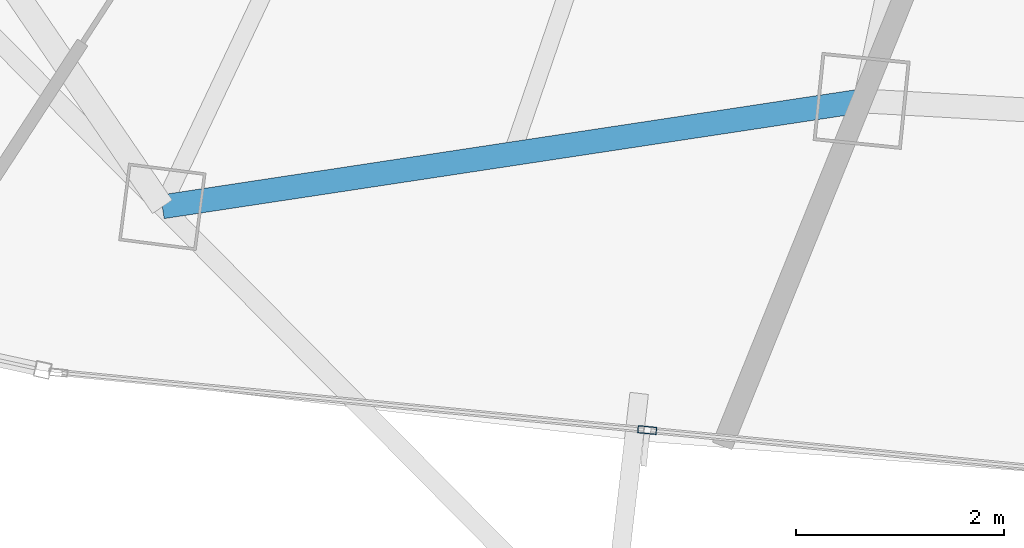
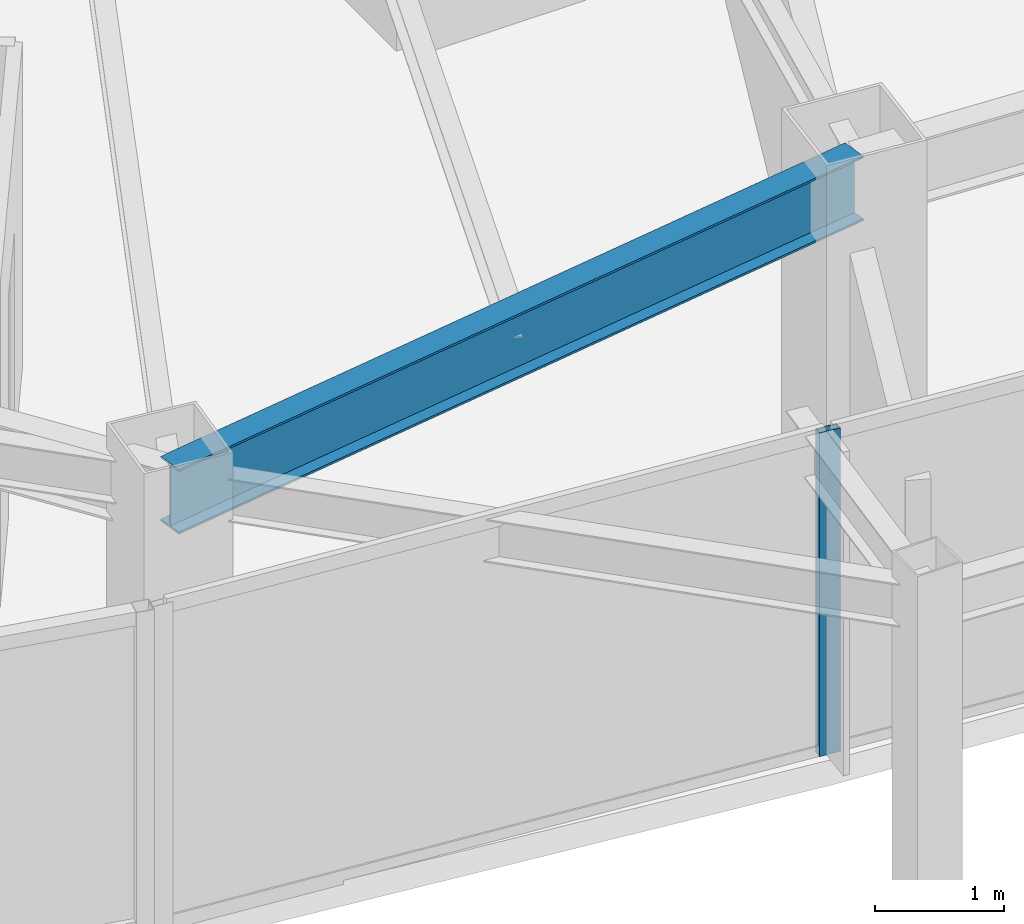
# One storey, part 4 of 31: 1 beam, 1 member, 1 element without a shape of its own.
"""IFC4 building model written with IfcOpenShell, lengths in metres."""

from ifc_helpers import new_model, si_unit, direction, frame, origin, origin_2d, place, context, subcontext, project, spatial, hollow_rectangle, i_section, extrude, material, layer, layer_set, material_profile, profile_set, type_object, element, aggregate, save


model = new_model("IFC4")

# Units and contexts
model_context = context("Model", 3, precision=1e-05, world=origin(), true_north=direction((0.0, 1.0)))
body_context = subcontext(model_context, "Body", "Model", "MODEL_VIEW")
ifc_project = project(units=[si_unit("LENGTHUNIT", "METRE"), si_unit("AREAUNIT", "SQUARE_METRE"), si_unit("VOLUMEUNIT", "CUBIC_METRE"), si_unit("PLANEANGLEUNIT", "RADIAN"), si_unit("MASSUNIT", "GRAM", prefix="KILO")], contexts=[model_context])

# Site, building, storey
site_placement = place(None, origin())
site = spatial("IfcSite", under=ifc_project, at=site_placement, CompositionType="ELEMENT")
building_placement = place(site_placement, origin())
building = spatial("IfcBuilding", under=site, at=building_placement, Name="Orvanel Arch Residences", CompositionType="ELEMENT")
storey_placement = place(building_placement, frame((0.0, 0.0, 153.949951171875)))
storey = spatial("IfcBuildingStorey", under=building, at=storey_placement, Name="L43", CompositionType="ELEMENT", Elevation=153.949951171875)

# Curtain wall, member
ifc_material_1 = material(Name="Bronze-anodised aluminium AA6063-T6", Category="aluminium")
ifc_layer = layer(ifc_material_1, 0.179931640625)
ifc_layer_set = layer_set([ifc_layer], Name="Bronze-anodised aluminium AA6063-T6")
curtain_wall_type = type_object("IfcCurtainWallType", Name="CW3-MID-SYS", PredefinedType="NOTDEFINED", material=ifc_layer_set)
curtain_wall_placement = place(storey_placement, origin())
curtain_wall = element("IfcCurtainWall", 1, at=curtain_wall_placement, inside=storey, type_object=curtain_wall_type, Name="L43 CW3-MID-SYS Unitised Curtain Wall", PredefinedType="NOTDEFINED")
ifc_material_profile_1 = material_profile(ifc_material_1, hollow_rectangle(XDim=0.070068359375, YDim=0.179931640625, WallThickness=0.00439453125, at=origin_2d()), Name="ALU180x70x4.5")
ifc_profile_set_1 = profile_set([ifc_material_profile_1], Name="Bronze-anodised aluminium AA6063-T6")
member_type = type_object("IfcMemberType", Name="MUL-180x70", PredefinedType="MULLION", material=ifc_profile_set_1)
member_placement = place(storey_placement, frame((21.591552734375, 4.197509765625, 0.0), z_axis=(0.0, 0.0, 1.0), x_axis=(0.097085158831, 0.995276078249, 0.0)))
member = element("IfcMember", 2, at=member_placement, type_object=member_type, Name="CW-S3 mullion 2", PredefinedType="MULLION", context=body_context, shape_type="SweptSolid", body=[
    extrude(hollow_rectangle(XDim=0.070068359375, YDim=0.179931640625, WallThickness=0.00439453125, at=origin_2d()), origin(), (0.0, 0.0, 1.0), 3.06005859375),
])
aggregate(curtain_wall, [member])

# Beam
ifc_material_2 = material(Name="Structural steel AS/NZS 3679.1 Grade 300 (300 MPa)", Category="steel")
ifc_material_profile_2 = material_profile(ifc_material_2, i_section(OverallWidth=0.22900390625, OverallDepth=0.612060546875, WebThickness=0.011962890625, FlangeThickness=0.01953125, at=origin_2d()), Name="610UB125")
ifc_profile_set_2 = profile_set([ifc_material_profile_2], Name="Structural steel AS/NZS 3679.1 Grade 300 (300 MPa)")
beam_type = type_object("IfcBeamType", Name="SP-610UB", PredefinedType="SPANDREL", material=ifc_profile_set_2)
beam_placement = place(storey_placement, frame((16.94091796875, 6.339111328125, 2.754150390625), z_axis=(0.988726323014, 0.149733958002, 0.0), x_axis=(-0.149733958002, 0.988726323014, 0.0)))
element("IfcBeam", 3, at=beam_placement, inside=storey, type_object=beam_type, Name="L43 Perimeter Spandrel Beam 04", PredefinedType="SPANDREL", context=body_context, shape_type="SweptSolid", body=[
    extrude(i_section(OverallWidth=0.22900390625, OverallDepth=0.612060546875, WebThickness=0.011962890625, FlangeThickness=0.01953125, at=origin_2d()), origin(), (0.0, 0.0, 1.0), 6.784423828125),
])

save(model, "model.ifc")
